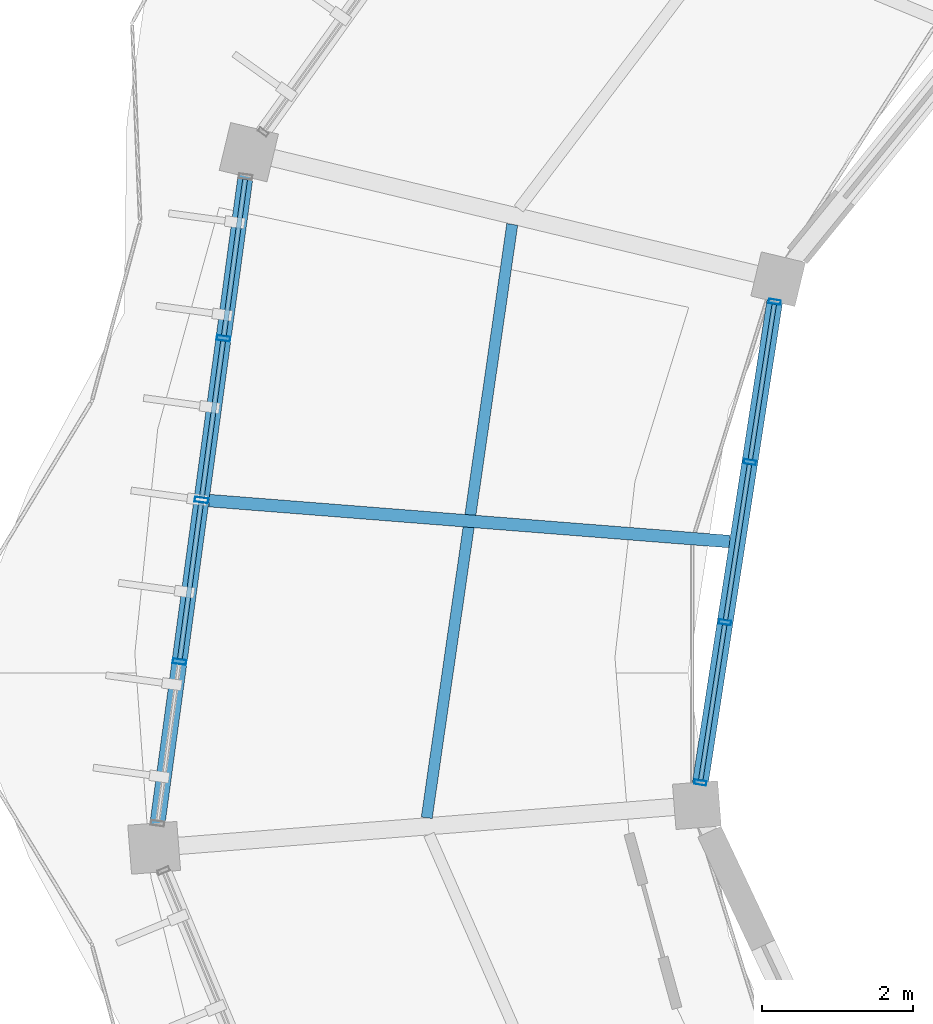
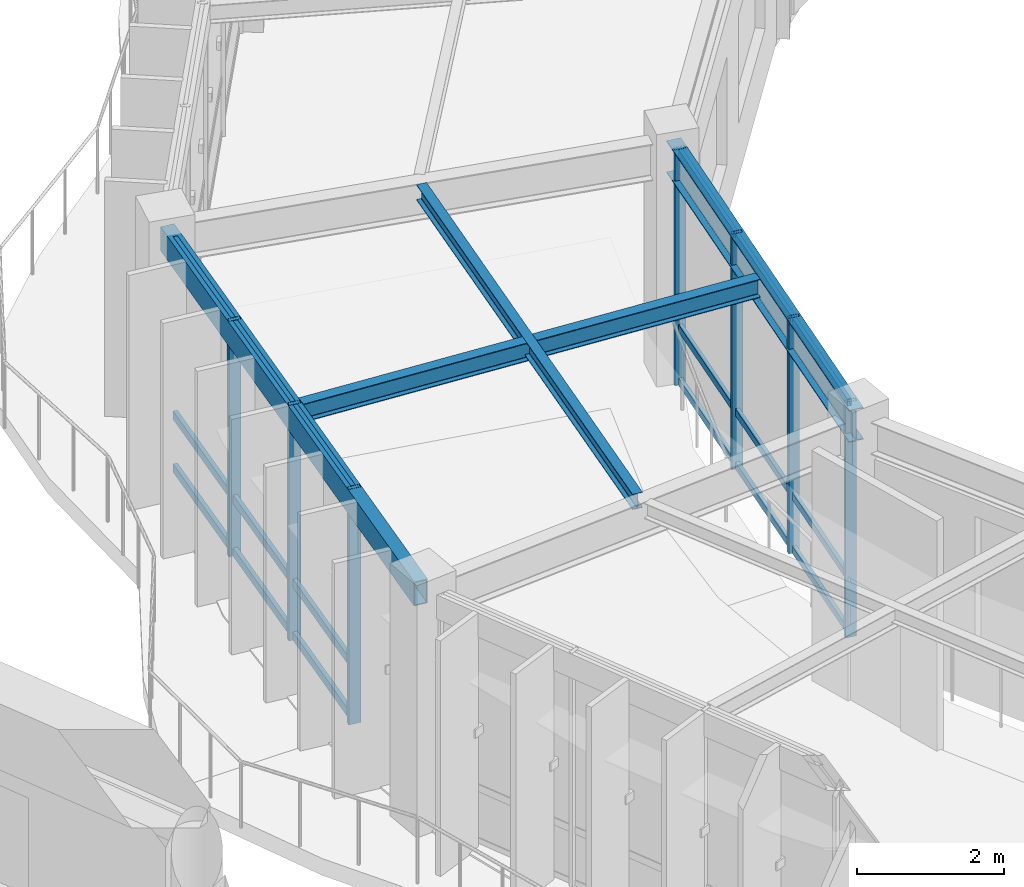
# One storey, part 35 of 114: 25 members, 4 beams, 2 elements without a shape of their own.
"""IFC4 building model written with IfcOpenShell, lengths in metres."""

from ifc_helpers import new_model, si_unit, direction, frame, origin, origin_2d, place, context, subcontext, project, spatial, hollow_rectangle, i_section, extrude, material, material_profile, profile_set, type_object, element, aggregate, save


model = new_model("IFC4")

# Units and contexts
model_context = context("Model", 3, precision=1e-05, world=origin(), true_north=direction((0.0, 1.0)))
body_context = subcontext(model_context, "Body", "Model", "MODEL_VIEW")
ifc_project = project(units=[si_unit("LENGTHUNIT", "METRE"), si_unit("AREAUNIT", "SQUARE_METRE"), si_unit("VOLUMEUNIT", "CUBIC_METRE"), si_unit("PLANEANGLEUNIT", "RADIAN"), si_unit("MASSUNIT", "GRAM", prefix="KILO"), si_unit("THERMODYNAMICTEMPERATUREUNIT", "KELVIN"), si_unit("POWERUNIT", "WATT")], contexts=[model_context])

# Site, building, storey
site_placement = place(None, origin())
site = spatial("IfcSite", under=ifc_project, at=site_placement, CompositionType="ELEMENT")
building_placement = place(site_placement, origin())
building = spatial("IfcBuilding", under=site, at=building_placement, Name="Darbajah Civic Hall", CompositionType="ELEMENT")
storey_placement = place(building_placement, frame((0.0, 0.0, 13.800048828125)))
storey = spatial("IfcBuildingStorey", under=building, at=storey_placement, Name="L03", CompositionType="ELEMENT", Elevation=13.800048828125)

# Curtain wall, members
ifc_material_1 = material(Name="Anodised Bronze Aluminium and Low-E Glazing", Category="aluminium")
curtain_wall_type_1 = type_object("IfcCurtainWallType", Name="Unitised Curtain Wall CW-46 6400x3900", PredefinedType="USERDEFINED", material=ifc_material_1)
curtain_wall_1_placement = place(storey_placement, origin())
curtain_wall_1 = element("IfcCurtainWall", 1, at=curtain_wall_1_placement, inside=storey, type_object=curtain_wall_type_1, Name="L03 unitised curtain wall CW-V1I-L03-09", ObjectType="UNITISED CURTAIN WALL", PredefinedType="USERDEFINED")
ifc_material_2 = material(Name="Anodised Bronze Aluminium", Category="aluminium")
ifc_material_profile_1 = material_profile(ifc_material_2, hollow_rectangle(XDim=0.06005859375, YDim=0.159912109375, WallThickness=0.00341796875, at=origin_2d()), Name="ALU MULLION 60x160")
ifc_profile_set_1 = profile_set([ifc_material_profile_1], Name="Anodised Bronze Aluminium")
member_type_1 = type_object("IfcMemberType", Name="ALU MULLION 60x160", PredefinedType="MULLION", material=ifc_profile_set_1)
member_1_placement = place(storey_placement, frame((46.464111328125, 94.707275390625, 0.0), z_axis=(0.0, 0.0, 1.0), x_axis=(-0.152813355565, -0.98825506746, 0.0)))
member_1 = element("IfcMember", 2, at=member_1_placement, type_object=member_type_1, Name="CW-V1I-L03-09 mullion 1", PredefinedType="MULLION", context=body_context, shape_type="SweptSolid", body=[
    extrude(hollow_rectangle(XDim=0.06005859375, YDim=0.159912109375, WallThickness=0.00341796875, at=origin_2d()), origin(), (0.0, 0.0, 1.0), 3.919921875),
])
member_2_placement = place(storey_placement, frame((46.136474609375, 92.587890625, 0.0), z_axis=(0.0, 0.0, 1.0), x_axis=(-0.152813355565, -0.98825506746, 0.0)))
member_2 = element("IfcMember", 3, at=member_2_placement, type_object=member_type_1, Name="CW-V1I-L03-09 mullion 2", PredefinedType="MULLION", context=body_context, shape_type="SweptSolid", body=[
    extrude(hollow_rectangle(XDim=0.06005859375, YDim=0.159912109375, WallThickness=0.00341796875, at=origin_2d()), origin(), (0.0, 0.0, 1.0), 3.919921875),
])
member_3_placement = place(storey_placement, frame((45.808837890625, 90.468505859375, 0.0), z_axis=(0.0, 0.0, 1.0), x_axis=(-0.152813355565, -0.98825506746, 0.0)))
member_3 = element("IfcMember", 4, at=member_3_placement, type_object=member_type_1, Name="CW-V1I-L03-09 mullion 3", PredefinedType="MULLION", context=body_context, shape_type="SweptSolid", body=[
    extrude(hollow_rectangle(XDim=0.06005859375, YDim=0.159912109375, WallThickness=0.00341796875, at=origin_2d()), origin(), (0.0, 0.0, 1.0), 3.919921875),
])
member_4_placement = place(storey_placement, frame((45.481201171875, 88.348876953125, 0.0), z_axis=(0.0, 0.0, 1.0), x_axis=(-0.152813355565, -0.98825506746, 0.0)))
member_4 = element("IfcMember", 5, at=member_4_placement, type_object=member_type_1, Name="CW-V1I-L03-09 mullion 4", PredefinedType="MULLION", context=body_context, shape_type="SweptSolid", body=[
    extrude(hollow_rectangle(XDim=0.06005859375, YDim=0.159912109375, WallThickness=0.00341796875, at=origin_2d()), origin(), (0.0, 0.0, 1.0), 3.919921875),
])

curtain_wall_type_2 = type_object("IfcCurtainWallType", Name="Unitised Curtain Wall CW-45 8600x3900", PredefinedType="USERDEFINED", material=ifc_material_1)
curtain_wall_2_placement = place(storey_placement, origin())
curtain_wall_2 = element("IfcCurtainWall", 6, at=curtain_wall_2_placement, inside=storey, type_object=curtain_wall_type_2, Name="L03 unitised curtain wall CW-V1O-L03-09", ObjectType="UNITISED CURTAIN WALL", PredefinedType="USERDEFINED")
ifc_material_profile_2 = material_profile(ifc_material_2, hollow_rectangle(XDim=0.06494140625, YDim=0.179931640625, WallThickness=0.00390625, at=origin_2d()), Name="ALU MULLION 65x180")
ifc_profile_set_2 = profile_set([ifc_material_profile_2], Name="Anodised Bronze Aluminium")
member_type_2 = type_object("IfcMemberType", Name="ALU MULLION 65x180", PredefinedType="MULLION", material=ifc_profile_set_2)
member_5_placement = place(storey_placement, frame((39.174072265625, 94.224365234375, 0.0), z_axis=(0.0, 0.0, 1.0), x_axis=(-0.134850930274, -0.990865897387, 0.0)))
member_5 = element("IfcMember", 7, at=member_5_placement, type_object=member_type_2, Name="CW-V1O-L03-09 mullion 2", PredefinedType="MULLION", context=body_context, shape_type="SweptSolid", body=[
    extrude(hollow_rectangle(XDim=0.06494140625, YDim=0.179931640625, WallThickness=0.00390625, at=origin_2d()), origin(), (0.0, 0.0, 1.0), 3.919921875),
])
member_6_placement = place(storey_placement, frame((38.88330078125, 92.086181640625, 0.0), z_axis=(0.0, 0.0, 1.0), x_axis=(-0.134850930274, -0.990865897387, 0.0)))
member_6 = element("IfcMember", 8, at=member_6_placement, type_object=member_type_2, Name="CW-V1O-L03-09 mullion 3", PredefinedType="MULLION", context=body_context, shape_type="SweptSolid", body=[
    extrude(hollow_rectangle(XDim=0.06494140625, YDim=0.179931640625, WallThickness=0.00390625, at=origin_2d()), origin(), (0.0, 0.0, 1.0), 3.919921875),
])
member_7_placement = place(storey_placement, frame((38.59228515625, 89.94775390625, 0.0), z_axis=(0.0, 0.0, 1.0), x_axis=(-0.134850930274, -0.990865897387, 0.0)))
member_7 = element("IfcMember", 9, at=member_7_placement, type_object=member_type_2, Name="CW-V1O-L03-09 mullion 4", PredefinedType="MULLION", context=body_context, shape_type="SweptSolid", body=[
    extrude(hollow_rectangle(XDim=0.06494140625, YDim=0.179931640625, WallThickness=0.00390625, at=origin_2d()), origin(), (0.0, 0.0, 1.0), 3.919921875),
])

# Member
ifc_material_profile_3 = material_profile(ifc_material_2, hollow_rectangle(XDim=0.06005859375, YDim=0.1201171875, WallThickness=0.003173828125, at=origin_2d()), Name="ALU TRANSOM 60x120")
ifc_profile_set_3 = profile_set([ifc_material_profile_3], Name="Anodised Bronze Aluminium")
member_type_3 = type_object("IfcMemberType", Name="ALU TRANSOM 60x120", PredefinedType="USERDEFINED", material=ifc_profile_set_3)
member_8_placement = place(storey_placement, frame((46.458740234375, 94.672607421875, 0.06005859375), z_axis=(-0.152746893793, -0.988265342121, 0.0), x_axis=(0.988265342121, -0.152746893793, 0.0)))
member_8 = element("IfcMember", 10, at=member_8_placement, type_object=member_type_3, Name="CW-V1I-L03-09 transom 1.1", ObjectType="TRANSOM", PredefinedType="USERDEFINED", context=body_context, shape_type="SweptSolid", body=[
    extrude(hollow_rectangle(XDim=0.06005859375, YDim=0.1201171875, WallThickness=0.003173828125, at=origin_2d()), origin(), (0.0, 0.0, 1.0), 2.07470703125),
])

member_9_placement = place(storey_placement, frame((46.458740234375, 94.672607421875, 0.949951171875), z_axis=(-0.152746893793, -0.988265342121, 0.0), x_axis=(0.988265342121, -0.152746893793, 0.0)))
member_9 = element("IfcMember", 11, at=member_9_placement, type_object=member_type_3, Name="CW-V1I-L03-09 transom 1.2", ObjectType="TRANSOM", PredefinedType="USERDEFINED", context=body_context, shape_type="SweptSolid", body=[
    extrude(hollow_rectangle(XDim=0.06005859375, YDim=0.1201171875, WallThickness=0.003173828125, at=origin_2d()), origin(), (0.0, 0.0, 1.0), 2.07470703125),
])

member_10_placement = place(storey_placement, frame((46.458740234375, 94.672607421875, 3.85986328125), z_axis=(-0.152746893793, -0.988265342121, 0.0), x_axis=(0.988265342121, -0.152746893793, 0.0)))
member_10 = element("IfcMember", 12, at=member_10_placement, type_object=member_type_3, Name="CW-V1I-L03-09 transom 1.3", ObjectType="TRANSOM", PredefinedType="USERDEFINED", context=body_context, shape_type="SweptSolid", body=[
    extrude(hollow_rectangle(XDim=0.06005859375, YDim=0.1201171875, WallThickness=0.003173828125, at=origin_2d()), origin(), (0.0, 0.0, 1.0), 2.07470703125),
])

member_11_placement = place(storey_placement, frame((46.131103515625, 92.55322265625, 0.06005859375), z_axis=(-0.152746893793, -0.988265342121, 0.0), x_axis=(0.988265342121, -0.152746893793, 0.0)))
member_11 = element("IfcMember", 13, at=member_11_placement, type_object=member_type_3, Name="CW-V1I-L03-09 transom 2.1", ObjectType="TRANSOM", PredefinedType="USERDEFINED", context=body_context, shape_type="SweptSolid", body=[
    extrude(hollow_rectangle(XDim=0.06005859375, YDim=0.1201171875, WallThickness=0.003173828125, at=origin_2d()), origin(), (0.0, 0.0, 1.0), 2.07470703125),
])

member_12_placement = place(storey_placement, frame((46.131103515625, 92.55322265625, 0.949951171875), z_axis=(-0.152746893793, -0.988265342121, 0.0), x_axis=(0.988265342121, -0.152746893793, 0.0)))
member_12 = element("IfcMember", 14, at=member_12_placement, type_object=member_type_3, Name="CW-V1I-L03-09 transom 2.2", ObjectType="TRANSOM", PredefinedType="USERDEFINED", context=body_context, shape_type="SweptSolid", body=[
    extrude(hollow_rectangle(XDim=0.06005859375, YDim=0.1201171875, WallThickness=0.003173828125, at=origin_2d()), origin(), (0.0, 0.0, 1.0), 2.07470703125),
])

member_13_placement = place(storey_placement, frame((46.131103515625, 92.55322265625, 3.85986328125), z_axis=(-0.152746893793, -0.988265342121, 0.0), x_axis=(0.988265342121, -0.152746893793, 0.0)))
member_13 = element("IfcMember", 15, at=member_13_placement, type_object=member_type_3, Name="CW-V1I-L03-09 transom 2.3", ObjectType="TRANSOM", PredefinedType="USERDEFINED", context=body_context, shape_type="SweptSolid", body=[
    extrude(hollow_rectangle(XDim=0.06005859375, YDim=0.1201171875, WallThickness=0.003173828125, at=origin_2d()), origin(), (0.0, 0.0, 1.0), 2.07470703125),
])

member_14_placement = place(storey_placement, frame((45.803466796875, 90.433837890625, 0.06005859375), z_axis=(-0.152861823715, -0.988247571639, 0.0), x_axis=(0.988247571639, -0.152861823715, 0.0)))
member_14 = element("IfcMember", 16, at=member_14_placement, type_object=member_type_3, Name="CW-V1I-L03-09 transom 3.1", ObjectType="TRANSOM", PredefinedType="USERDEFINED", context=body_context, shape_type="SweptSolid", body=[
    extrude(hollow_rectangle(XDim=0.06005859375, YDim=0.1201171875, WallThickness=0.003173828125, at=origin_2d()), origin(), (0.0, 0.0, 1.0), 2.07470703125),
])

member_15_placement = place(storey_placement, frame((45.803466796875, 90.433837890625, 0.949951171875), z_axis=(-0.152861823715, -0.988247571639, 0.0), x_axis=(0.988247571639, -0.152861823715, 0.0)))
member_15 = element("IfcMember", 17, at=member_15_placement, type_object=member_type_3, Name="CW-V1I-L03-09 transom 3.2", ObjectType="TRANSOM", PredefinedType="USERDEFINED", context=body_context, shape_type="SweptSolid", body=[
    extrude(hollow_rectangle(XDim=0.06005859375, YDim=0.1201171875, WallThickness=0.003173828125, at=origin_2d()), origin(), (0.0, 0.0, 1.0), 2.07470703125),
])

member_16_placement = place(storey_placement, frame((45.803466796875, 90.433837890625, 3.85986328125), z_axis=(-0.152861823715, -0.988247571639, 0.0), x_axis=(0.988247571639, -0.152861823715, 0.0)))
member_16 = element("IfcMember", 18, at=member_16_placement, type_object=member_type_3, Name="CW-V1I-L03-09 transom 3.3", ObjectType="TRANSOM", PredefinedType="USERDEFINED", context=body_context, shape_type="SweptSolid", body=[
    extrude(hollow_rectangle(XDim=0.06005859375, YDim=0.1201171875, WallThickness=0.003173828125, at=origin_2d()), origin(), (0.0, 0.0, 1.0), 2.07470703125),
])

aggregate(curtain_wall_1, [member_1, member_2, member_3, member_4, member_8, member_9, member_10, member_11, member_12, member_13, member_14, member_15, member_16])

ifc_material_profile_4 = material_profile(ifc_material_2, hollow_rectangle(XDim=0.06494140625, YDim=0.139892578125, WallThickness=0.00341796875, at=origin_2d()), Name="ALU TRANSOM 65x140")
ifc_profile_set_4 = profile_set([ifc_material_profile_4], Name="Anodised Bronze Aluminium")
member_type_4 = type_object("IfcMemberType", Name="ALU TRANSOM 65x140", PredefinedType="USERDEFINED", material=ifc_profile_set_4)
member_17_placement = place(storey_placement, frame((39.4599609375, 96.325439453125, 0.070068359375), z_axis=(-0.134788914792, -0.990874335347, 0.0), x_axis=(0.990874335347, -0.134788914792, 0.0)))
member_17 = element("IfcMember", 19, at=member_17_placement, type_object=member_type_4, Name="CW-V1O-L03-09 transom 1.1", ObjectType="TRANSOM", PredefinedType="USERDEFINED", context=body_context, shape_type="SweptSolid", body=[
    extrude(hollow_rectangle(XDim=0.06494140625, YDim=0.139892578125, WallThickness=0.00341796875, at=origin_2d()), origin(), (0.0, 0.0, 1.0), 2.0830078125),
])

member_18_placement = place(storey_placement, frame((39.4599609375, 96.325439453125, 0.949951171875), z_axis=(-0.134788914792, -0.990874335347, 0.0), x_axis=(0.990874335347, -0.134788914792, 0.0)))
member_18 = element("IfcMember", 20, at=member_18_placement, type_object=member_type_4, Name="CW-V1O-L03-09 transom 1.2", ObjectType="TRANSOM", PredefinedType="USERDEFINED", context=body_context, shape_type="SweptSolid", body=[
    extrude(hollow_rectangle(XDim=0.06494140625, YDim=0.139892578125, WallThickness=0.00341796875, at=origin_2d()), origin(), (0.0, 0.0, 1.0), 2.0830078125),
])

member_19_placement = place(storey_placement, frame((39.4599609375, 96.325439453125, 3.849853515625), z_axis=(-0.134788914792, -0.990874335347, 0.0), x_axis=(0.990874335347, -0.134788914792, 0.0)))
member_19 = element("IfcMember", 21, at=member_19_placement, type_object=member_type_4, Name="CW-V1O-L03-09 transom 1.3", ObjectType="TRANSOM", PredefinedType="USERDEFINED", context=body_context, shape_type="SweptSolid", body=[
    extrude(hollow_rectangle(XDim=0.06494140625, YDim=0.139892578125, WallThickness=0.00341796875, at=origin_2d()), origin(), (0.0, 0.0, 1.0), 2.0830078125),
])

member_20_placement = place(storey_placement, frame((39.1689453125, 94.187255859375, 0.070068359375), z_axis=(-0.134788914792, -0.990874335347, 0.0), x_axis=(0.990874335347, -0.134788914792, 0.0)))
member_20 = element("IfcMember", 22, at=member_20_placement, type_object=member_type_4, Name="CW-V1O-L03-09 transom 2.1", ObjectType="TRANSOM", PredefinedType="USERDEFINED", context=body_context, shape_type="SweptSolid", body=[
    extrude(hollow_rectangle(XDim=0.06494140625, YDim=0.139892578125, WallThickness=0.00341796875, at=origin_2d()), origin(), (0.0, 0.0, 1.0), 2.0830078125),
])

member_21_placement = place(storey_placement, frame((39.1689453125, 94.187255859375, 0.949951171875), z_axis=(-0.134788914792, -0.990874335347, 0.0), x_axis=(0.990874335347, -0.134788914792, 0.0)))
member_21 = element("IfcMember", 23, at=member_21_placement, type_object=member_type_4, Name="CW-V1O-L03-09 transom 2.2", ObjectType="TRANSOM", PredefinedType="USERDEFINED", context=body_context, shape_type="SweptSolid", body=[
    extrude(hollow_rectangle(XDim=0.06494140625, YDim=0.139892578125, WallThickness=0.00341796875, at=origin_2d()), origin(), (0.0, 0.0, 1.0), 2.0830078125),
])

member_22_placement = place(storey_placement, frame((39.1689453125, 94.187255859375, 3.849853515625), z_axis=(-0.134788914792, -0.990874335347, 0.0), x_axis=(0.990874335347, -0.134788914792, 0.0)))
member_22 = element("IfcMember", 24, at=member_22_placement, type_object=member_type_4, Name="CW-V1O-L03-09 transom 2.3", ObjectType="TRANSOM", PredefinedType="USERDEFINED", context=body_context, shape_type="SweptSolid", body=[
    extrude(hollow_rectangle(XDim=0.06494140625, YDim=0.139892578125, WallThickness=0.00341796875, at=origin_2d()), origin(), (0.0, 0.0, 1.0), 2.0830078125),
])

member_23_placement = place(storey_placement, frame((38.878173828125, 92.048828125, 0.070068359375), z_axis=(-0.134788914792, -0.990874335347, 0.0), x_axis=(0.990874335347, -0.134788914792, 0.0)))
member_23 = element("IfcMember", 25, at=member_23_placement, type_object=member_type_4, Name="CW-V1O-L03-09 transom 3.1", ObjectType="TRANSOM", PredefinedType="USERDEFINED", context=body_context, shape_type="SweptSolid", body=[
    extrude(hollow_rectangle(XDim=0.06494140625, YDim=0.139892578125, WallThickness=0.00341796875, at=origin_2d()), origin(), (0.0, 0.0, 1.0), 2.0830078125),
])

member_24_placement = place(storey_placement, frame((38.878173828125, 92.048828125, 0.949951171875), z_axis=(-0.134788914792, -0.990874335347, 0.0), x_axis=(0.990874335347, -0.134788914792, 0.0)))
member_24 = element("IfcMember", 26, at=member_24_placement, type_object=member_type_4, Name="CW-V1O-L03-09 transom 3.2", ObjectType="TRANSOM", PredefinedType="USERDEFINED", context=body_context, shape_type="SweptSolid", body=[
    extrude(hollow_rectangle(XDim=0.06494140625, YDim=0.139892578125, WallThickness=0.00341796875, at=origin_2d()), origin(), (0.0, 0.0, 1.0), 2.0830078125),
])

member_25_placement = place(storey_placement, frame((38.878173828125, 92.048828125, 3.849853515625), z_axis=(-0.134788914792, -0.990874335347, 0.0), x_axis=(0.990874335347, -0.134788914792, 0.0)))
member_25 = element("IfcMember", 27, at=member_25_placement, type_object=member_type_4, Name="CW-V1O-L03-09 transom 3.3", ObjectType="TRANSOM", PredefinedType="USERDEFINED", context=body_context, shape_type="SweptSolid", body=[
    extrude(hollow_rectangle(XDim=0.06494140625, YDim=0.139892578125, WallThickness=0.00341796875, at=origin_2d()), origin(), (0.0, 0.0, 1.0), 2.0830078125),
])

aggregate(curtain_wall_2, [member_5, member_6, member_7, member_17, member_18, member_19, member_20, member_21, member_22, member_23, member_24, member_25])

# Beams
ifc_material_3 = material(Name="Steel S355JR", Category="steel")
ifc_material_profile_5 = material_profile(ifc_material_3, hollow_rectangle(XDim=0.199951171875, YDim=0.39990234375, WallThickness=0.013916015625, at=origin_2d()), Name="RHS 400x200x14")
ifc_profile_set_5 = profile_set([ifc_material_profile_5], Name="Steel S355JR")
beam_type_1 = type_object("IfcBeamType", Name="RHS 400x200x14", PredefinedType="SPANDREL", material=ifc_profile_set_5)
beam_1_placement = place(storey_placement, frame((39.498291015625, 96.607421875, 3.719970703125), z_axis=(-0.134804002093, -0.9908722829, 0.0), x_axis=(0.9908722829, -0.134804002093, 0.0)))
element("IfcBeam", 28, at=beam_1_placement, inside=storey, type_object=beam_type_1, Name="L03 beam SP-RHS400", PredefinedType="SPANDREL", context=body_context, shape_type="SweptSolid", body=[
    extrude(hollow_rectangle(XDim=0.199951171875, YDim=0.39990234375, WallThickness=0.013916015625, at=origin_2d()), origin(), (0.0, 0.0, 1.0), 9.1259765625),
])
ifc_material_profile_6 = material_profile(ifc_material_3, i_section(OverallWidth=0.146484375, OverallDepth=0.256103515625, WebThickness=0.00634765625, FlangeThickness=0.010986328125, FilletRadius=0.007568359375, at=origin_2d()), Name="UB 254x146x37")
ifc_profile_set_6 = profile_set([ifc_material_profile_6], Name="Steel S355JR")
beam_type_2 = type_object("IfcBeamType", Name="UB 254x146x37", PredefinedType="JOIST", material=ifc_profile_set_6)
beam_2_placement = place(storey_placement, frame((42.9931640625, 95.7314453125, 3.7919921875), z_axis=(-0.142580747671, -0.989783173424, 0.0), x_axis=(0.989783173424, -0.142580747671, 0.0)))
element("IfcBeam", 29, at=beam_2_placement, inside=storey, type_object=beam_type_2, Name="L03 beam SJ-254", PredefinedType="JOIST", context=body_context, shape_type="SweptSolid", body=[
    extrude(i_section(OverallWidth=0.146484375, OverallDepth=0.256103515625, WebThickness=0.00634765625, FlangeThickness=0.010986328125, FilletRadius=0.007568359375, at=origin_2d()), origin(), (0.0, 0.0, 1.0), 7.9296875),
])
ifc_material_profile_7 = material_profile(ifc_material_3, i_section(OverallWidth=0.165771484375, OverallDepth=0.306640625, WebThickness=0.006591796875, FlangeThickness=0.01171875, FilletRadius=0.0087890625, at=origin_2d()), Name="UB 305x165x46")
ifc_profile_set_7 = profile_set([ifc_material_profile_7], Name="Steel S355JR")
beam_type_3 = type_object("IfcBeamType", Name="UB 305x165x46", PredefinedType="JOIST", material=ifc_profile_set_7)
beam_3_placement = place(storey_placement, frame((45.866943359375, 91.536376953125, 3.7666015625), z_axis=(-0.996918778661, 0.078440734012, 0.0), x_axis=(-0.078440734012, -0.996918778661, 0.0)))
element("IfcBeam", 30, at=beam_3_placement, inside=storey, type_object=beam_type_3, Name="L03 beam SJ-305", PredefinedType="JOIST", context=body_context, shape_type="SweptSolid", body=[
    extrude(i_section(OverallWidth=0.165771484375, OverallDepth=0.306640625, WebThickness=0.006591796875, FlangeThickness=0.01171875, FilletRadius=0.0087890625, at=origin_2d()), origin(), (0.0, 0.0, 1.0), 6.9033203125),
])
ifc_material_profile_8 = material_profile(ifc_material_3, i_section(OverallWidth=0.209228515625, OverallDepth=0.533203125, WebThickness=0.010009765625, FlangeThickness=0.015625, FilletRadius=0.0126953125, at=origin_2d()), Name="UB 533x210x92")
ifc_profile_set_8 = profile_set([ifc_material_profile_8], Name="Steel S355JR")
beam_type_4 = type_object("IfcBeamType", Name="UB 533x210x92", PredefinedType="BEAM", material=ifc_profile_set_8)
beam_4_placement = place(storey_placement, frame((46.498046875, 94.9267578125, 3.653564453125), z_axis=(-0.152771975645, -0.988261465128, 0.0), x_axis=(0.988261465128, -0.152771975645, 0.0)))
element("IfcBeam", 31, at=beam_4_placement, inside=storey, type_object=beam_type_4, Name="L03 beam SB-533", PredefinedType="BEAM", context=body_context, shape_type="SweptSolid", body=[
    extrude(i_section(OverallWidth=0.209228515625, OverallDepth=0.533203125, WebThickness=0.010009765625, FlangeThickness=0.015625, FilletRadius=0.0126953125, at=origin_2d()), origin(), (0.0, 0.0, 1.0), 6.878173828125),
])

save(model, "model.ifc")
